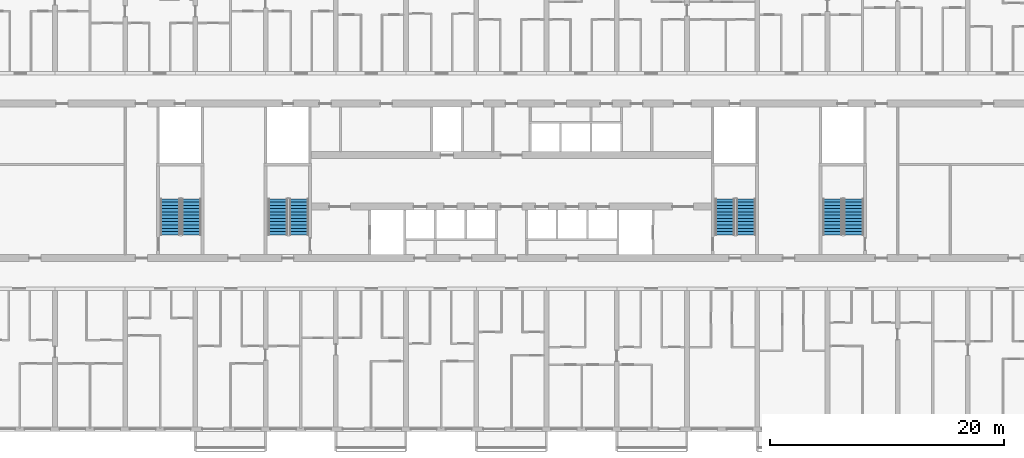
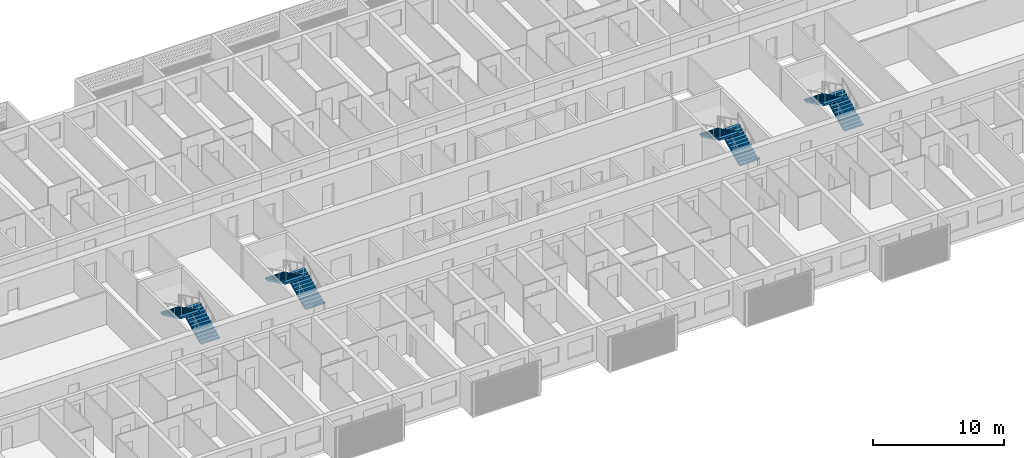
# One storey, part 20 of 44: 8 stair flights, 4 elements without a shape of their own.
"""IFC4 building model written with IfcOpenShell, lengths in metres."""

from ifc_helpers import new_model, si_unit, direction, frame, origin, place, context, subcontext, project, spatial, polyline, outline, extrude, material, layer, layer_set, type_object, element, aggregate, save


model = new_model("IFC4")

# Units and contexts
model_context = context("Model", 3, precision=1e-05, world=origin(), true_north=direction((0.0, 1.0)))
body_context = subcontext(model_context, "Body", "Model", "MODEL_VIEW")
ifc_project = project(units=[si_unit("LENGTHUNIT", "METRE"), si_unit("AREAUNIT", "SQUARE_METRE"), si_unit("VOLUMEUNIT", "CUBIC_METRE"), si_unit("PLANEANGLEUNIT", "RADIAN"), si_unit("MASSUNIT", "GRAM", prefix="KILO")], contexts=[model_context])

# Site, building, storey
site_placement = place(None, origin())
site = spatial("IfcSite", under=ifc_project, at=site_placement, CompositionType="ELEMENT")
building_placement = place(site_placement, origin())
building = spatial("IfcBuilding", under=site, at=building_placement, Name="Poui Terraces", CompositionType="ELEMENT")
storey_placement = place(building_placement, frame((0.0, 0.0, 26.699951171875)))
storey = spatial("IfcBuildingStorey", under=building, at=storey_placement, Name="L06", CompositionType="ELEMENT", Elevation=26.699951171875)

# Stair, stair flights
ifc_material = material(Name="Concrete 80 MPa", Category="concrete")
stair_type = type_object("IfcStairType", Name="EXIT STAIR 1650 80 MPA", PredefinedType="HALF_TURN_STAIR", material=ifc_material)
stair_1_placement = place(storey_placement, origin())
stair_1 = element("IfcStair", 1, at=stair_1_placement, inside=storey, type_object=stair_type, Name="L06 CORE STAIR EAST", PredefinedType="HALF_TURN_STAIR")
ifc_layer = layer(ifc_material, 0.14990234375)
ifc_layer_set = layer_set([ifc_layer], Name="Concrete 80 MPa")
stair_flight_type = type_object("IfcStairFlightType", Name="STAIR FLIGHT 12 RISERS 138 RISE 80 MPA", PredefinedType="STRAIGHT", material=ifc_layer_set)
stair_flight_1_placement = place(storey_placement, frame((71.050048828125, 16.60009765625, 0.0), z_axis=(0.0, 0.0, 1.0), x_axis=(0.0, 1.0, 0.0)))
stair_flight_1 = element("IfcStairFlight", 2, at=stair_flight_1_placement, type_object=stair_flight_type, Name="ST-CE flight 1", NumberOfRisers=12, NumberOfTreads=11, PredefinedType="STRAIGHT", RiserHeight=0.1375, TreadLength=0.28, context=body_context, shape_type="SweptSolid", body=[
    extrude(outline(polyline([(0.0, 0.0), (0.0, 0.137451171875), (0.280029296875, 0.137451171875), (0.280029296875, 0.27490234375), (0.56005859375, 0.27490234375), (0.56005859375, 0.41259765625), (0.840087890625, 0.41259765625), (0.840087890625, 0.550048828125), (1.1201171875, 0.550048828125), (1.1201171875, 0.6875), (1.39990234375, 0.6875), (1.39990234375, 0.824951171875), (1.679931640625, 0.824951171875), (1.679931640625, 0.96240234375), (1.9599609375, 0.96240234375), (1.9599609375, 1.10009765625), (2.239990234375, 1.10009765625), (2.239990234375, 1.237548828125), (2.52001953125, 1.237548828125), (2.52001953125, 1.375), (2.800048828125, 1.375), (2.800048828125, 1.512451171875), (3.080078125, 1.512451171875), (3.080078125, 1.64990234375), (3.080078125, 1.345458984375), (0.340087890625, 0.0), (0.0, 0.0)])), frame((0.0, 0.824951171875, 0.0), z_axis=(0.0, -1.0, 0.0), x_axis=(1.0, 0.0, 0.0)), (0.0, 0.0, 1.0), 1.64990234375),
])
stair_flight_2_placement = place(storey_placement, frame((69.25, 19.679931640625, 1.650146484375), z_axis=(0.0, 0.0, 1.0), x_axis=(0.0, -1.0, 0.0)))
stair_flight_2 = element("IfcStairFlight", 3, at=stair_flight_2_placement, type_object=stair_flight_type, Name="ST-CE flight 2", NumberOfRisers=12, NumberOfTreads=11, PredefinedType="STRAIGHT", RiserHeight=0.1375, TreadLength=0.28, context=body_context, shape_type="SweptSolid", body=[
    extrude(outline(polyline([(0.0, 0.0), (0.0, 0.137451171875), (0.280029296875, 0.137451171875), (0.280029296875, 0.27490234375), (0.56005859375, 0.27490234375), (0.56005859375, 0.41259765625), (0.840087890625, 0.41259765625), (0.840087890625, 0.550048828125), (1.1201171875, 0.550048828125), (1.1201171875, 0.6875), (1.39990234375, 0.6875), (1.39990234375, 0.824951171875), (1.679931640625, 0.824951171875), (1.679931640625, 0.96240234375), (1.9599609375, 0.96240234375), (1.9599609375, 1.10009765625), (2.239990234375, 1.10009765625), (2.239990234375, 1.237548828125), (2.52001953125, 1.237548828125), (2.52001953125, 1.375), (2.800048828125, 1.375), (2.800048828125, 1.512451171875), (3.080078125, 1.512451171875), (3.080078125, 1.64990234375), (3.080078125, 1.345458984375), (0.340087890625, 0.0), (0.0, 0.0)])), frame((0.0, 0.824951171875, 0.0), z_axis=(0.0, -1.0, 0.0), x_axis=(1.0, 0.0, 0.0)), (0.0, 0.0, 1.0), 1.64990234375),
])
aggregate(stair_1, [stair_flight_1, stair_flight_2])

stair_2_placement = place(storey_placement, origin())
stair_2 = element("IfcStair", 4, at=stair_2_placement, inside=storey, type_object=stair_type, Name="L06 CORE STAIR WEST", PredefinedType="HALF_TURN_STAIR")
stair_flight_3_placement = place(storey_placement, frame((32.85009765625, 16.60009765625, 0.0), z_axis=(0.0, 0.0, 1.0), x_axis=(0.0, 1.0, 0.0)))
stair_flight_3 = element("IfcStairFlight", 5, at=stair_flight_3_placement, type_object=stair_flight_type, Name="ST-CW flight 1", NumberOfRisers=12, NumberOfTreads=11, PredefinedType="STRAIGHT", RiserHeight=0.1375, TreadLength=0.28, context=body_context, shape_type="SweptSolid", body=[
    extrude(outline(polyline([(0.0, 0.0), (0.0, 0.137451171875), (0.280029296875, 0.137451171875), (0.280029296875, 0.27490234375), (0.56005859375, 0.27490234375), (0.56005859375, 0.41259765625), (0.840087890625, 0.41259765625), (0.840087890625, 0.550048828125), (1.1201171875, 0.550048828125), (1.1201171875, 0.6875), (1.39990234375, 0.6875), (1.39990234375, 0.824951171875), (1.679931640625, 0.824951171875), (1.679931640625, 0.96240234375), (1.9599609375, 0.96240234375), (1.9599609375, 1.10009765625), (2.239990234375, 1.10009765625), (2.239990234375, 1.237548828125), (2.52001953125, 1.237548828125), (2.52001953125, 1.375), (2.800048828125, 1.375), (2.800048828125, 1.512451171875), (3.080078125, 1.512451171875), (3.080078125, 1.64990234375), (3.080078125, 1.345458984375), (0.340087890625, 0.0), (0.0, 0.0)])), frame((0.0, 0.824951171875, 0.0), z_axis=(0.0, -1.0, 0.0), x_axis=(1.0, 0.0, 0.0)), (0.0, 0.0, 1.0), 1.64990234375),
])
stair_flight_4_placement = place(storey_placement, frame((31.050048828125, 19.679931640625, 1.650146484375), z_axis=(0.0, 0.0, 1.0), x_axis=(0.0, -1.0, 0.0)))
stair_flight_4 = element("IfcStairFlight", 6, at=stair_flight_4_placement, type_object=stair_flight_type, Name="ST-CW flight 2", NumberOfRisers=12, NumberOfTreads=11, PredefinedType="STRAIGHT", RiserHeight=0.1375, TreadLength=0.28, context=body_context, shape_type="SweptSolid", body=[
    extrude(outline(polyline([(0.0, 0.0), (0.0, 0.137451171875), (0.280029296875, 0.137451171875), (0.280029296875, 0.27490234375), (0.56005859375, 0.27490234375), (0.56005859375, 0.41259765625), (0.840087890625, 0.41259765625), (0.840087890625, 0.550048828125), (1.1201171875, 0.550048828125), (1.1201171875, 0.6875), (1.39990234375, 0.6875), (1.39990234375, 0.824951171875), (1.679931640625, 0.824951171875), (1.679931640625, 0.96240234375), (1.9599609375, 0.96240234375), (1.9599609375, 1.10009765625), (2.239990234375, 1.10009765625), (2.239990234375, 1.237548828125), (2.52001953125, 1.237548828125), (2.52001953125, 1.375), (2.800048828125, 1.375), (2.800048828125, 1.512451171875), (3.080078125, 1.512451171875), (3.080078125, 1.64990234375), (3.080078125, 1.345458984375), (0.340087890625, 0.0), (0.0, 0.0)])), frame((0.0, 0.824951171875, 0.0), z_axis=(0.0, -1.0, 0.0), x_axis=(1.0, 0.0, 0.0)), (0.0, 0.0, 1.0), 1.64990234375),
])
aggregate(stair_2, [stair_flight_3, stair_flight_4])

stair_3_placement = place(storey_placement, origin())
stair_3 = element("IfcStair", 7, at=stair_3_placement, inside=storey, type_object=stair_type, Name="L06 TIP STAIR EAST", PredefinedType="HALF_TURN_STAIR")
stair_flight_5_placement = place(storey_placement, frame((80.25, 16.60009765625, 0.0), z_axis=(0.0, 0.0, 1.0), x_axis=(0.0, 1.0, 0.0)))
stair_flight_5 = element("IfcStairFlight", 8, at=stair_flight_5_placement, type_object=stair_flight_type, Name="ST-E flight 1", NumberOfRisers=12, NumberOfTreads=11, PredefinedType="STRAIGHT", RiserHeight=0.1375, TreadLength=0.28, context=body_context, shape_type="SweptSolid", body=[
    extrude(outline(polyline([(0.0, 0.0), (0.0, 0.137451171875), (0.280029296875, 0.137451171875), (0.280029296875, 0.27490234375), (0.56005859375, 0.27490234375), (0.56005859375, 0.41259765625), (0.840087890625, 0.41259765625), (0.840087890625, 0.550048828125), (1.1201171875, 0.550048828125), (1.1201171875, 0.6875), (1.39990234375, 0.6875), (1.39990234375, 0.824951171875), (1.679931640625, 0.824951171875), (1.679931640625, 0.96240234375), (1.9599609375, 0.96240234375), (1.9599609375, 1.10009765625), (2.239990234375, 1.10009765625), (2.239990234375, 1.237548828125), (2.52001953125, 1.237548828125), (2.52001953125, 1.375), (2.800048828125, 1.375), (2.800048828125, 1.512451171875), (3.080078125, 1.512451171875), (3.080078125, 1.64990234375), (3.080078125, 1.345458984375), (0.340087890625, 0.0), (0.0, 0.0)])), frame((0.0, 0.824951171875, 0.0), z_axis=(0.0, -1.0, 0.0), x_axis=(1.0, 0.0, 0.0)), (0.0, 0.0, 1.0), 1.64990234375),
])
stair_flight_6_placement = place(storey_placement, frame((78.449951171875, 19.679931640625, 1.650146484375), z_axis=(0.0, 0.0, 1.0), x_axis=(0.0, -1.0, 0.0)))
stair_flight_6 = element("IfcStairFlight", 9, at=stair_flight_6_placement, type_object=stair_flight_type, Name="ST-E flight 2", NumberOfRisers=12, NumberOfTreads=11, PredefinedType="STRAIGHT", RiserHeight=0.1375, TreadLength=0.28, context=body_context, shape_type="SweptSolid", body=[
    extrude(outline(polyline([(0.0, 0.0), (0.0, 0.137451171875), (0.280029296875, 0.137451171875), (0.280029296875, 0.27490234375), (0.56005859375, 0.27490234375), (0.56005859375, 0.41259765625), (0.840087890625, 0.41259765625), (0.840087890625, 0.550048828125), (1.1201171875, 0.550048828125), (1.1201171875, 0.6875), (1.39990234375, 0.6875), (1.39990234375, 0.824951171875), (1.679931640625, 0.824951171875), (1.679931640625, 0.96240234375), (1.9599609375, 0.96240234375), (1.9599609375, 1.10009765625), (2.239990234375, 1.10009765625), (2.239990234375, 1.237548828125), (2.52001953125, 1.237548828125), (2.52001953125, 1.375), (2.800048828125, 1.375), (2.800048828125, 1.512451171875), (3.080078125, 1.512451171875), (3.080078125, 1.64990234375), (3.080078125, 1.345458984375), (0.340087890625, 0.0), (0.0, 0.0)])), frame((0.0, 0.824951171875, 0.0), z_axis=(0.0, -1.0, 0.0), x_axis=(1.0, 0.0, 0.0)), (0.0, 0.0, 1.0), 1.64990234375),
])
aggregate(stair_3, [stair_flight_5, stair_flight_6])

stair_4_placement = place(storey_placement, origin())
stair_4 = element("IfcStair", 10, at=stair_4_placement, inside=storey, type_object=stair_type, Name="L06 TIP STAIR WEST", PredefinedType="HALF_TURN_STAIR")
stair_flight_7_placement = place(storey_placement, frame((23.64990234375, 16.60009765625, 0.0), z_axis=(0.0, 0.0, 1.0), x_axis=(0.0, 1.0, 0.0)))
stair_flight_7 = element("IfcStairFlight", 11, at=stair_flight_7_placement, type_object=stair_flight_type, Name="ST-W flight 1", NumberOfRisers=12, NumberOfTreads=11, PredefinedType="STRAIGHT", RiserHeight=0.1375, TreadLength=0.28, context=body_context, shape_type="SweptSolid", body=[
    extrude(outline(polyline([(0.0, 0.0), (0.0, 0.137451171875), (0.280029296875, 0.137451171875), (0.280029296875, 0.27490234375), (0.56005859375, 0.27490234375), (0.56005859375, 0.41259765625), (0.840087890625, 0.41259765625), (0.840087890625, 0.550048828125), (1.1201171875, 0.550048828125), (1.1201171875, 0.6875), (1.39990234375, 0.6875), (1.39990234375, 0.824951171875), (1.679931640625, 0.824951171875), (1.679931640625, 0.96240234375), (1.9599609375, 0.96240234375), (1.9599609375, 1.10009765625), (2.239990234375, 1.10009765625), (2.239990234375, 1.237548828125), (2.52001953125, 1.237548828125), (2.52001953125, 1.375), (2.800048828125, 1.375), (2.800048828125, 1.512451171875), (3.080078125, 1.512451171875), (3.080078125, 1.64990234375), (3.080078125, 1.345458984375), (0.340087890625, 0.0), (0.0, 0.0)])), frame((0.0, 0.824951171875, 0.0), z_axis=(0.0, -1.0, 0.0), x_axis=(1.0, 0.0, 0.0)), (0.0, 0.0, 1.0), 1.64990234375),
])
stair_flight_8_placement = place(storey_placement, frame((21.85009765625, 19.679931640625, 1.650146484375), z_axis=(0.0, 0.0, 1.0), x_axis=(0.0, -1.0, 0.0)))
stair_flight_8 = element("IfcStairFlight", 12, at=stair_flight_8_placement, type_object=stair_flight_type, Name="ST-W flight 2", NumberOfRisers=12, NumberOfTreads=11, PredefinedType="STRAIGHT", RiserHeight=0.1375, TreadLength=0.28, context=body_context, shape_type="SweptSolid", body=[
    extrude(outline(polyline([(0.0, 0.0), (0.0, 0.137451171875), (0.280029296875, 0.137451171875), (0.280029296875, 0.27490234375), (0.56005859375, 0.27490234375), (0.56005859375, 0.41259765625), (0.840087890625, 0.41259765625), (0.840087890625, 0.550048828125), (1.1201171875, 0.550048828125), (1.1201171875, 0.6875), (1.39990234375, 0.6875), (1.39990234375, 0.824951171875), (1.679931640625, 0.824951171875), (1.679931640625, 0.96240234375), (1.9599609375, 0.96240234375), (1.9599609375, 1.10009765625), (2.239990234375, 1.10009765625), (2.239990234375, 1.237548828125), (2.52001953125, 1.237548828125), (2.52001953125, 1.375), (2.800048828125, 1.375), (2.800048828125, 1.512451171875), (3.080078125, 1.512451171875), (3.080078125, 1.64990234375), (3.080078125, 1.345458984375), (0.340087890625, 0.0), (0.0, 0.0)])), frame((0.0, 0.824951171875, 0.0), z_axis=(0.0, -1.0, 0.0), x_axis=(1.0, 0.0, 0.0)), (0.0, 0.0, 1.0), 1.64990234375),
])
aggregate(stair_4, [stair_flight_7, stair_flight_8])

save(model, "model.ifc")
